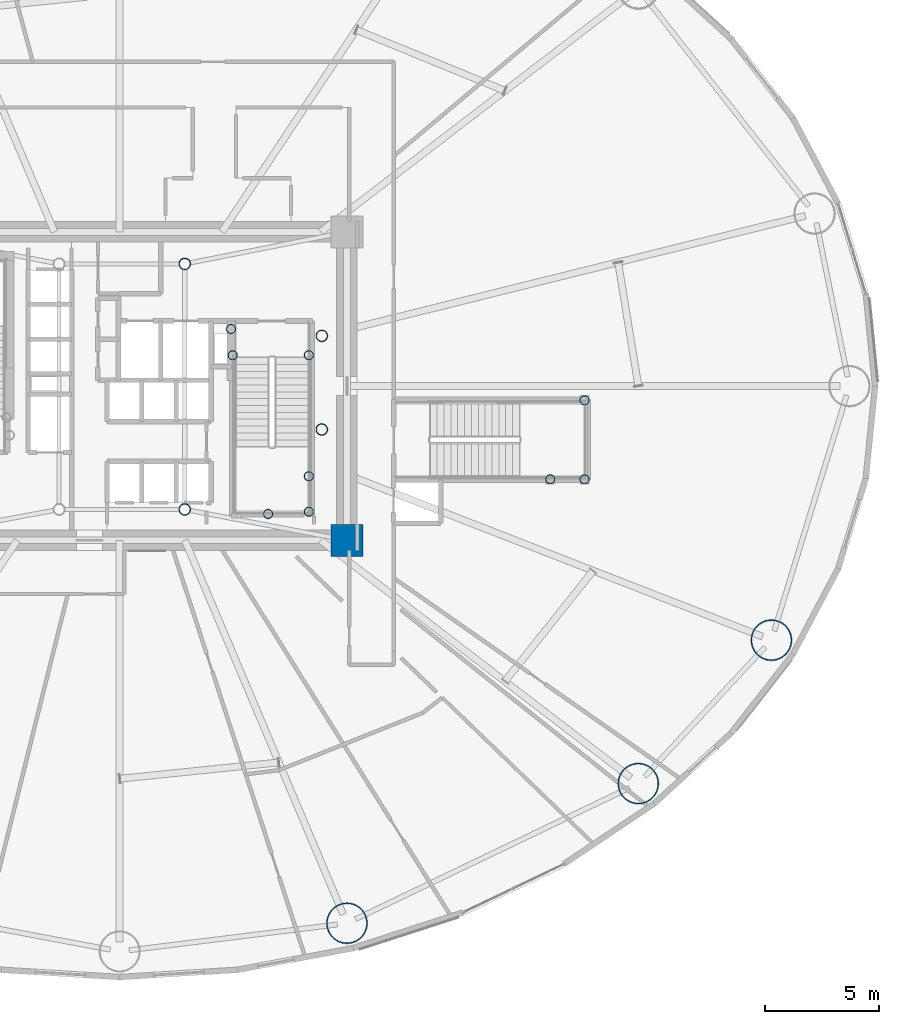
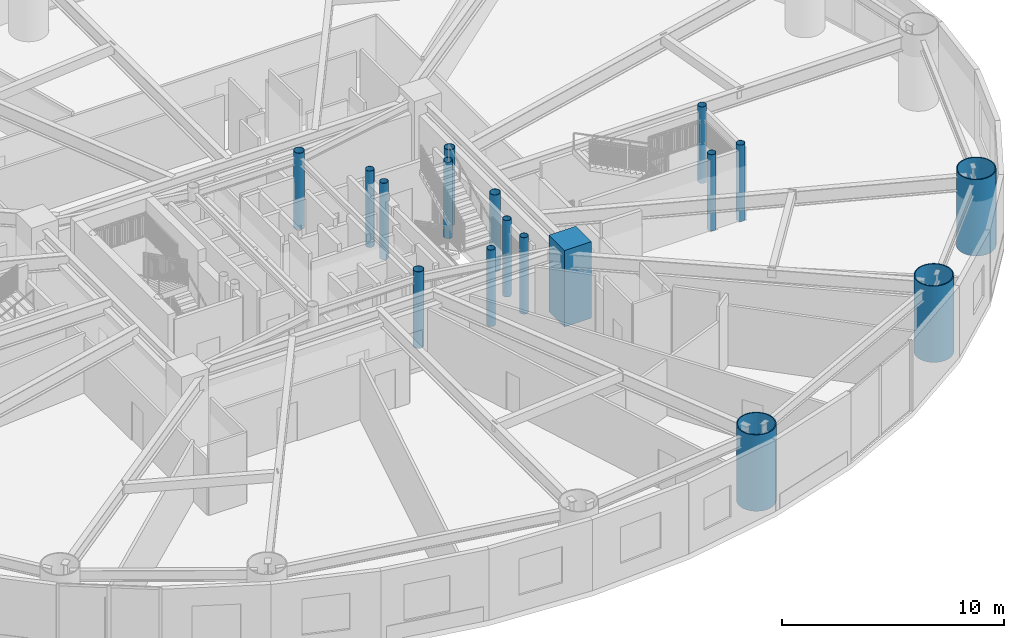
# One storey, part 2 of 31: 17 columns.
"""IFC4 building model written with IfcOpenShell, lengths in metres."""

from ifc_helpers import new_model, si_unit, direction, frame, origin, origin_2d, place, context, subcontext, project, spatial, rectangle, hollow_circle, extrude, material, material_profile, profile_set, type_object, element, save


model = new_model("IFC4")

# Units and contexts
model_context = context("Model", 3, precision=1e-05, world=origin(), true_north=direction((0.0, 1.0)))
body_context = subcontext(model_context, "Body", "Model", "MODEL_VIEW")
ifc_project = project(units=[si_unit("LENGTHUNIT", "METRE"), si_unit("AREAUNIT", "SQUARE_METRE"), si_unit("VOLUMEUNIT", "CUBIC_METRE"), si_unit("PLANEANGLEUNIT", "RADIAN"), si_unit("MASSUNIT", "GRAM", prefix="KILO")], contexts=[model_context])

# Site, building, storey
site_placement = place(None, origin())
site = spatial("IfcSite", under=ifc_project, at=site_placement, CompositionType="ELEMENT")
building_placement = place(site_placement, origin())
building = spatial("IfcBuilding", under=site, at=building_placement, Name="Linh Dai School and Residence Tower", CompositionType="ELEMENT")
storey_placement = place(building_placement, frame((0.0, 0.0, 6.0)))
storey = spatial("IfcBuildingStorey", under=building, at=storey_placement, Name="L01", CompositionType="ELEMENT", Elevation=6.0)

# Columns
ifc_material_1 = material(Name="Concrete B60 (C50/60)", Category="concrete")
ifc_material_profile_1 = material_profile(ifc_material_1, rectangle(XDim=1.39990234375, YDim=1.39990234375, at=origin_2d()), Name="RC 1400x1400")
ifc_profile_set_1 = profile_set([ifc_material_profile_1], Name="Concrete B60 (C50/60)")
column_type_1 = type_object("IfcColumnType", Name="COL-CC1", PredefinedType="COLUMN", material=ifc_profile_set_1)
column_placement = place(storey_placement, frame((45.949951171875, 20.25, 0.0), z_axis=(0.0, 0.0, 1.0), x_axis=(1.0, 0.0, 0.0)))
element("IfcColumn", 1, at=column_placement, inside=storey, type_object=column_type_1, Name="L01 Core Corner Pier CC2", PredefinedType="COLUMN", context=body_context, shape_type="SweptSolid", body=[
    extrude(rectangle(XDim=1.39990234375, YDim=1.39990234375, at=origin_2d()), origin(), (0.0, 0.0, 1.0), 4.199951171875),
])
ifc_material_2 = material(Name="Structural Steel S355JR", Category="steel")
ifc_material_profile_2 = material_profile(ifc_material_2, hollow_circle(Radius=0.203125, WallThickness=0.01611328125, at=origin_2d()), Name="CHS 406.4x16")
ifc_profile_set_2 = profile_set([ifc_material_profile_2], Name="Structural Steel S355JR")
column_type_2 = type_object("IfcColumnType", Name="COL-EC", PredefinedType="COLUMN", material=ifc_profile_set_2)
for number, where, z_axis, x_axis, name in (
    (2, (44.280029296875, 21.5, 0.0), (0.0, 0.0, 1.0), (1.0, 0.0, 0.0), "L01 Stair Shaft Landing Support Pier ST2SE"),
    (3, (44.280029296875, 23.050048828125, 0.0), (0.0, 0.0, 1.0), (1.0, 0.0, 0.0), "L01 Stair Shaft Landing Support Pier ST2NE"),
    (4, (42.5, 21.39990234375, 0.0), (0.0, 0.0, 1.0), (1.0, 0.0, 0.0), "L01 Stair Shaft Landing Support Pier ST2MS"),
    (5, (40.949951171875, 28.35009765625, 0.0), (0.0, 0.0, 1.0), (1.0, 0.0, 0.0), "L01 Stair Shaft Landing Support Pier ST2N1"),
    (6, (44.280029296875, 28.35009765625, 0.0), (0.0, 0.0, 1.0), (1.0, 0.0, 0.0), "L01 Stair Shaft Landing Support Pier ST2N2"),
    (7, (40.8798828125, 29.5, 0.0), (0.0, 0.0, 1.0), (1.0, 0.0, 0.0), "L01 Stair Shaft Landing Support Pier ST2N3"),
    (8, (56.35009765625, 26.3798828125, 0.0), (0.0, 0.0, 1.0), (1.0, 0.0, 0.0), "L01 Stair Shaft Landing Support Pier STS2NE"),
    (9, (56.35009765625, 22.919921875, 0.0), (0.0, 0.0, 1.0), (1.0, 0.0, 0.0), "L01 Stair Shaft Landing Support Pier STS2SE"),
    (10, (54.85009765625, 22.919921875, 0.0), (0.0, 0.0, 1.0), (1.0, 0.0, 0.0), "L01 Stair Shaft Landing Support Pier STS2MW"),
):
    element("IfcColumn", number, at=place(storey_placement, frame(where, z_axis=z_axis, x_axis=x_axis)), inside=storey, type_object=column_type_2, Name=name, PredefinedType="COLUMN", context=body_context, shape_type="SweptSolid", body=[
        extrude(hollow_circle(Radius=0.203125, WallThickness=0.01611328125, at=origin_2d()), origin(), (0.0, 0.0, 1.0), 4.199951171875),
    ])
ifc_material_profile_3 = material_profile(ifc_material_2, hollow_circle(Radius=0.89990234375, WallThickness=0.050048828125, at=origin_2d()), Name="CHS 1800x50")
ifc_profile_set_3 = profile_set([ifc_material_profile_3], Name="Structural Steel S355JR")
column_type_3 = type_object("IfcColumnType", Name="COL-MC1", PredefinedType="COLUMN", material=ifc_profile_set_3)
for number, where, z_axis, x_axis, name in (
    (11, (45.951171875, 3.48388671875, 0.0), (0.0, 0.0, 1.0), (1.0, 0.0, 0.0), "L01 Perimeter CFT Mega-Column MC14"),
    (12, (58.705322265625, 9.599365234375, 0.0), (0.0, 0.0, 1.0), (1.0, 0.0, 0.0), "L01 Perimeter CFT Mega-Column MC15"),
    (13, (64.53369140625, 15.8779296875, 0.0), (0.0, 0.0, 1.0), (1.0, 0.0, 0.0), "L01 Perimeter CFT Mega-Column MC16"),
):
    element("IfcColumn", number, at=place(storey_placement, frame(where, z_axis=z_axis, x_axis=x_axis)), inside=storey, type_object=column_type_3, Name=name, PredefinedType="COLUMN", context=body_context, shape_type="SweptSolid", body=[
        extrude(hollow_circle(Radius=0.89990234375, WallThickness=0.050048828125, at=origin_2d()), origin(), (0.0, 0.0, 1.0), 4.199951171875),
    ])
ifc_material_profile_4 = material_profile(ifc_material_2, hollow_circle(Radius=0.25390625, WallThickness=0.02001953125, at=origin_2d()), Name="CHS 508x20")
ifc_profile_set_4 = profile_set([ifc_material_profile_4], Name="Structural Steel S355JR")
column_type_4 = type_object("IfcColumnType", Name="COL-MCP", PredefinedType="COLUMN", material=ifc_profile_set_4)
for number, where, z_axis, x_axis, name in (
    (14, (38.85009765625, 21.60009765625, 0.0), (0.0, 0.0, 1.0), (1.0, 0.0, 0.0), "L01 Core Mast Support Pier MCP2"),
    (15, (38.85009765625, 32.35009765625, 0.0), (0.0, 0.0, 1.0), (1.0, 0.0, 0.0), "L01 Core Mast Support Pier MCP3"),
    (16, (44.85009765625, 25.10009765625, 0.0), (0.0, 0.0, 1.0), (1.0, 0.0, 0.0), "L01 Sky-Lounge Core Anchor Pier S"),
    (17, (44.85009765625, 29.199951171875, 0.0), (0.0, 0.0, 1.0), (1.0, 0.0, 0.0), "L01 Sky-Lounge Core Anchor Pier N"),
):
    element("IfcColumn", number, at=place(storey_placement, frame(where, z_axis=z_axis, x_axis=x_axis)), inside=storey, type_object=column_type_4, Name=name, PredefinedType="COLUMN", context=body_context, shape_type="SweptSolid", body=[
        extrude(hollow_circle(Radius=0.25390625, WallThickness=0.02001953125, at=origin_2d()), origin(), (0.0, 0.0, 1.0), 4.199951171875),
    ])

save(model, "model.ifc")
